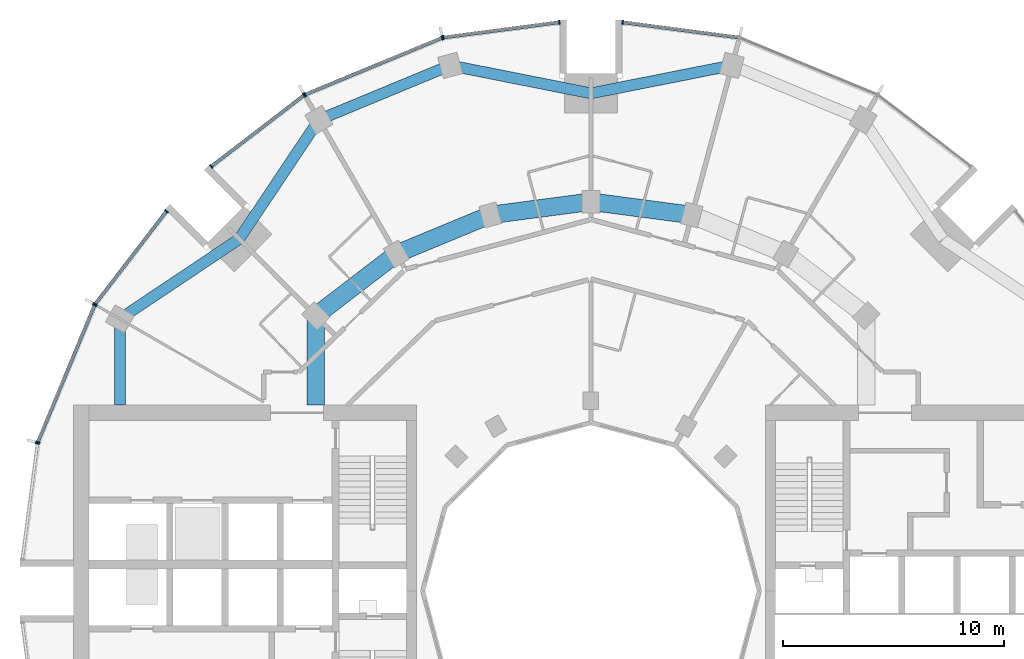
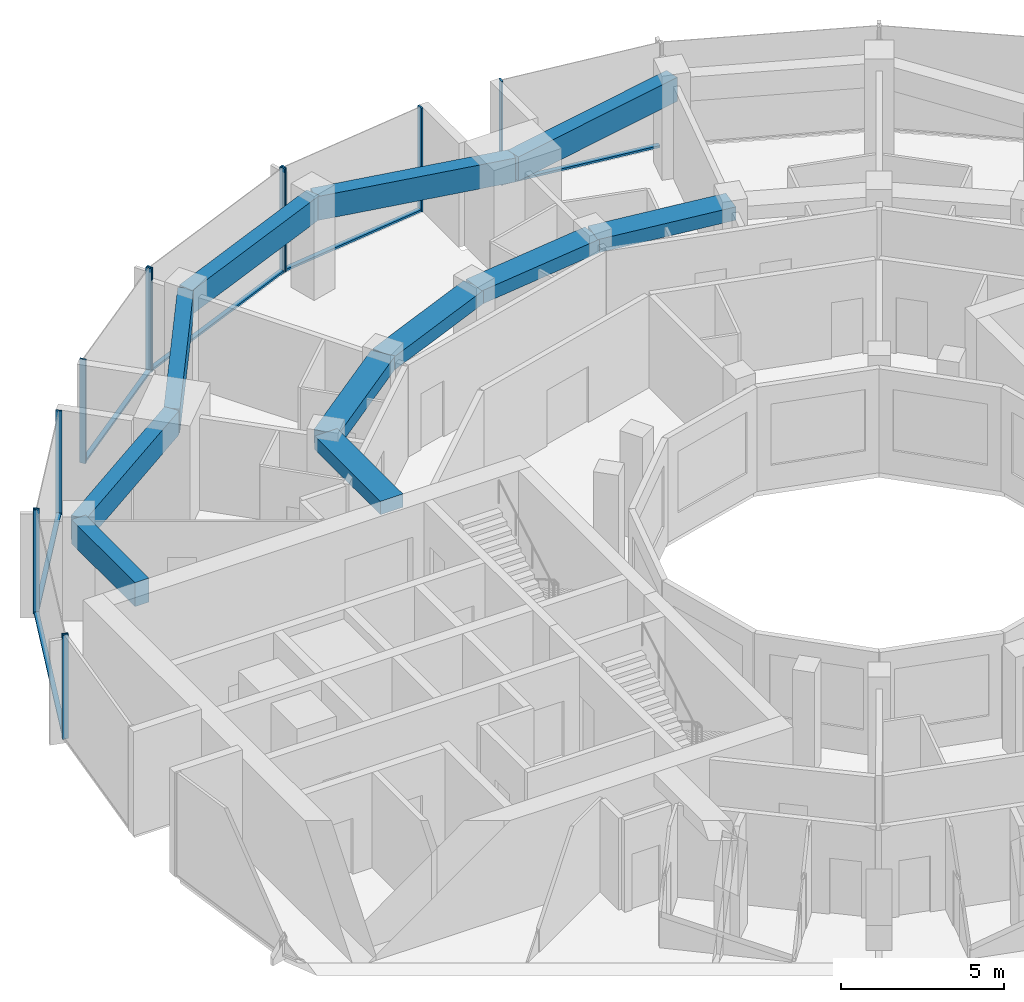
# One storey, part 5 of 15: 18 members, 11 beams, 7 elements without a shape of their own.
"""IFC4 building model written with IfcOpenShell, lengths in metres."""

from ifc_helpers import new_model, si_unit, direction, frame, origin, origin_2d, place, context, subcontext, project, spatial, rectangle, extrude, material, layer, layer_set, material_profile, profile_set, type_object, element, aggregate, save


model = new_model("IFC4")

# Units and contexts
model_context = context("Model", 3, precision=1e-05, world=origin(), true_north=direction((0.0, 1.0)))
body_context = subcontext(model_context, "Body", "Model", "MODEL_VIEW")
ifc_project = project(units=[si_unit("LENGTHUNIT", "METRE"), si_unit("AREAUNIT", "SQUARE_METRE"), si_unit("VOLUMEUNIT", "CUBIC_METRE"), si_unit("PLANEANGLEUNIT", "RADIAN"), si_unit("MASSUNIT", "GRAM", prefix="KILO")], contexts=[model_context])

# Site, building, storey
site_placement = place(None, origin())
site = spatial("IfcSite", under=ifc_project, at=site_placement, CompositionType="ELEMENT")
building_placement = place(site_placement, origin())
building = spatial("IfcBuilding", under=site, at=building_placement, Name="Torre Brocal", CompositionType="ELEMENT")
storey_placement = place(building_placement, frame((0.0, 0.0, 118.5)))
storey = spatial("IfcBuildingStorey", under=building, at=storey_placement, Name="L27", CompositionType="ELEMENT", Elevation=118.5)

# Curtain wall, member
ifc_material_1 = material(Name="Aluminium and glass", Category="aluminium")
ifc_layer_1 = layer(ifc_material_1, 0.199951171875)
ifc_layer_set_1 = layer_set([ifc_layer_1], Name="Aluminium and glass")
curtain_wall_type_1 = type_object("IfcCurtainWallType", Name="CW-1 CURTAIN WALL 3900 HIGH", PredefinedType="NOTDEFINED", material=ifc_layer_set_1)
curtain_wall_1_placement = place(storey_placement, origin())
curtain_wall_1 = element("IfcCurtainWall", 1, at=curtain_wall_1_placement, inside=storey, type_object=curtain_wall_type_1, Name="CW-1 RUN 6", PredefinedType="NOTDEFINED")
ifc_material_2 = material(Name="Aluminium, dark anodised", Category="aluminium")
ifc_material_profile_1 = material_profile(ifc_material_2, rectangle(XDim=0.199951171875, YDim=0.06005859375, at=origin_2d()), Name="CW-1 MULLION 60X200")
ifc_profile_set_1 = profile_set([ifc_material_profile_1], Name="Aluminium, dark anodised")
member_type_1 = type_object("IfcMemberType", Name="CW-1 MULLION 60X200", PredefinedType="MULLION", material=ifc_profile_set_1)
member_1_placement = place(storey_placement, frame((81.4296875, 100.7109375, 0.0), z_axis=(0.0, 0.0, 1.0), x_axis=(-0.13052619222, -0.991444861374, 0.0)))
member_1 = element("IfcMember", 2, at=member_1_placement, type_object=member_type_1, Name="CW1-3 mullion 2", PredefinedType="MULLION", context=body_context, shape_type="SweptSolid", body=[
    extrude(rectangle(XDim=0.199951171875, YDim=0.06005859375, at=origin_2d()), origin(), (0.0, 0.0, 1.0), 3.89990234375),
])

# Curtain wall, members
curtain_wall_2_placement = place(storey_placement, origin())
curtain_wall_2 = element("IfcCurtainWall", 3, at=curtain_wall_2_placement, inside=storey, type_object=curtain_wall_type_1, Name="CW-1 RUN 7", PredefinedType="NOTDEFINED")
member_2_placement = place(storey_placement, frame((78.5703125, 100.7109375, 0.0), z_axis=(0.0, 0.0, 1.0), x_axis=(0.13052619222, -0.991444861374, 0.0)))
member_2 = element("IfcMember", 4, at=member_2_placement, type_object=member_type_1, Name="CW1-3 mullion 1", PredefinedType="MULLION", context=body_context, shape_type="SweptSolid", body=[
    extrude(rectangle(XDim=0.199951171875, YDim=0.06005859375, at=origin_2d()), origin(), (0.0, 0.0, 1.0), 3.89990234375),
])
member_3_placement = place(storey_placement, frame((73.32666015625, 100.0205078125, 0.0), z_axis=(0.0, 0.0, 1.0), x_axis=(0.13052619222, -0.991444861374, 0.0)))
member_3 = element("IfcMember", 5, at=member_3_placement, type_object=member_type_1, Name="CW1-3 mullion 2", PredefinedType="MULLION", context=body_context, shape_type="SweptSolid", body=[
    extrude(rectangle(XDim=0.199951171875, YDim=0.06005859375, at=origin_2d()), origin(), (0.0, 0.0, 1.0), 3.89990234375),
])

curtain_wall_3_placement = place(storey_placement, origin())
curtain_wall_3 = element("IfcCurtainWall", 6, at=curtain_wall_3_placement, inside=storey, type_object=curtain_wall_type_1, Name="CW-1 RUN 8", PredefinedType="NOTDEFINED")
member_4_placement = place(storey_placement, frame((73.26904296875, 100.005126953125, 0.0), z_axis=(0.0, 0.0, 1.0), x_axis=(0.382683432333, -0.923879532525, 0.0)))
member_4 = element("IfcMember", 7, at=member_4_placement, type_object=member_type_1, Name="CW1-3 mullion 1", PredefinedType="MULLION", context=body_context, shape_type="SweptSolid", body=[
    extrude(rectangle(XDim=0.199951171875, YDim=0.06005859375, at=origin_2d()), origin(), (0.0, 0.0, 1.0), 3.89990234375),
])
member_5_placement = place(storey_placement, frame((67.078125, 97.440673828125, 0.0), z_axis=(0.0, 0.0, 1.0), x_axis=(0.382683432333, -0.923879532525, 0.0)))
member_5 = element("IfcMember", 8, at=member_5_placement, type_object=member_type_1, Name="CW1-3 mullion 2", PredefinedType="MULLION", context=body_context, shape_type="SweptSolid", body=[
    extrude(rectangle(XDim=0.199951171875, YDim=0.06005859375, at=origin_2d()), origin(), (0.0, 0.0, 1.0), 3.89990234375),
])

curtain_wall_4_placement = place(storey_placement, origin())
curtain_wall_4 = element("IfcCurtainWall", 9, at=curtain_wall_4_placement, inside=storey, type_object=curtain_wall_type_1, Name="CW-1 RUN 9", PredefinedType="NOTDEFINED")
member_6_placement = place(storey_placement, frame((67.026611328125, 97.4111328125, 0.0), z_axis=(0.0, 0.0, 1.0), x_axis=(0.60876142905, -0.793353340259, 0.0)))
member_6 = element("IfcMember", 10, at=member_6_placement, type_object=member_type_1, Name="CW1-3 mullion 1", PredefinedType="MULLION", context=body_context, shape_type="SweptSolid", body=[
    extrude(rectangle(XDim=0.199951171875, YDim=0.06005859375, at=origin_2d()), origin(), (0.0, 0.0, 1.0), 3.89990234375),
])
member_7_placement = place(storey_placement, frame((62.83056640625, 94.19140625, 0.0), z_axis=(0.0, 0.0, 1.0), x_axis=(0.60876142905, -0.793353340259, 0.0)))
member_7 = element("IfcMember", 11, at=member_7_placement, type_object=member_type_1, Name="CW1-3 mullion 2", PredefinedType="MULLION", context=body_context, shape_type="SweptSolid", body=[
    extrude(rectangle(XDim=0.199951171875, YDim=0.06005859375, at=origin_2d()), origin(), (0.0, 0.0, 1.0), 3.89990234375),
])

curtain_wall_5_placement = place(storey_placement, origin())
curtain_wall_5 = element("IfcCurtainWall", 12, at=curtain_wall_5_placement, inside=storey, type_object=curtain_wall_type_1, Name="CW-1 RUN 10", PredefinedType="NOTDEFINED")
member_8_placement = place(storey_placement, frame((60.80859375, 92.16943359375, 0.0), z_axis=(0.0, 0.0, 1.0), x_axis=(0.793353340259, -0.60876142905, 0.0)))
member_8 = element("IfcMember", 13, at=member_8_placement, type_object=member_type_1, Name="CW1-3 mullion 1", PredefinedType="MULLION", context=body_context, shape_type="SweptSolid", body=[
    extrude(rectangle(XDim=0.199951171875, YDim=0.06005859375, at=origin_2d()), origin(), (0.0, 0.0, 1.0), 3.89990234375),
])
member_9_placement = place(storey_placement, frame((57.5888671875, 87.973388671875, 0.0), z_axis=(0.0, 0.0, 1.0), x_axis=(0.793353340259, -0.60876142905, 0.0)))
member_9 = element("IfcMember", 14, at=member_9_placement, type_object=member_type_1, Name="CW1-3 mullion 2", PredefinedType="MULLION", context=body_context, shape_type="SweptSolid", body=[
    extrude(rectangle(XDim=0.199951171875, YDim=0.06005859375, at=origin_2d()), origin(), (0.0, 0.0, 1.0), 3.89990234375),
])

curtain_wall_6_placement = place(storey_placement, origin())
curtain_wall_6 = element("IfcCurtainWall", 15, at=curtain_wall_6_placement, inside=storey, type_object=curtain_wall_type_1, Name="CW-1 RUN 11", PredefinedType="NOTDEFINED")
member_10_placement = place(storey_placement, frame((57.559326171875, 87.921875, 0.0), z_axis=(0.0, 0.0, 1.0), x_axis=(0.923879532525, -0.382683432333, 0.0)))
member_10 = element("IfcMember", 16, at=member_10_placement, type_object=member_type_1, Name="CW1-3 mullion 1", PredefinedType="MULLION", context=body_context, shape_type="SweptSolid", body=[
    extrude(rectangle(XDim=0.199951171875, YDim=0.06005859375, at=origin_2d()), origin(), (0.0, 0.0, 1.0), 3.89990234375),
])
member_11_placement = place(storey_placement, frame((54.994873046875, 81.73095703125, 0.0), z_axis=(0.0, 0.0, 1.0), x_axis=(0.923879532525, -0.382683432333, 0.0)))
member_11 = element("IfcMember", 17, at=member_11_placement, type_object=member_type_1, Name="CW1-3 mullion 2", PredefinedType="MULLION", context=body_context, shape_type="SweptSolid", body=[
    extrude(rectangle(XDim=0.199951171875, YDim=0.06005859375, at=origin_2d()), origin(), (0.0, 0.0, 1.0), 3.89990234375),
])

# Member
ifc_material_3 = material(Name="Aluminium, dark anodised", Category="aluminium")
ifc_material_profile_2 = material_profile(ifc_material_3, rectangle(XDim=0.159912109375, YDim=0.080078125, at=origin_2d()), Name="CW-1 TRANSOM 160X80")
ifc_profile_set_2 = profile_set([ifc_material_profile_2], Name="Aluminium, dark anodised")
member_type_2 = type_object("IfcMemberType", Name="CW-1 TRANSOM 160X80", PredefinedType="USERDEFINED", material=ifc_profile_set_2)
member_12_placement = place(storey_placement, frame((86.643798828125, 100.0244140625, 0.0400390625), z_axis=(-0.991442690863, 0.130542677827, 0.0), x_axis=(-0.130542677827, -0.991442690863, 0.0)))
member_12 = element("IfcMember", 18, at=member_12_placement, type_object=member_type_2, Name="CW1-3 transom 1.1", ObjectType="TRANSOM", PredefinedType="USERDEFINED", context=body_context, shape_type="SweptSolid", body=[
    extrude(rectangle(XDim=0.159912109375, YDim=0.080078125, at=origin_2d()), origin(), (0.0, 0.0, 1.0), 5.22900390625),
])

aggregate(curtain_wall_1, [member_1, member_12])

member_13_placement = place(storey_placement, frame((78.54052734375, 100.70703125, 0.0400390625), z_axis=(-0.991442690863, -0.130542677827, 0.0), x_axis=(0.130542677827, -0.991442690863, 0.0)))
member_13 = element("IfcMember", 19, at=member_13_placement, type_object=member_type_2, Name="CW1-3 transom 1.1", ObjectType="TRANSOM", PredefinedType="USERDEFINED", context=body_context, shape_type="SweptSolid", body=[
    extrude(rectangle(XDim=0.159912109375, YDim=0.080078125, at=origin_2d()), origin(), (0.0, 0.0, 1.0), 5.22900390625),
])

aggregate(curtain_wall_2, [member_2, member_3, member_13])

member_14_placement = place(storey_placement, frame((73.241455078125, 99.99365234375, 0.0400390625), z_axis=(-0.923887344364, -0.38266457234, 0.0), x_axis=(0.38266457234, -0.923887344364, 0.0)))
member_14 = element("IfcMember", 20, at=member_14_placement, type_object=member_type_2, Name="CW1-3 transom 1.1", ObjectType="TRANSOM", PredefinedType="USERDEFINED", context=body_context, shape_type="SweptSolid", body=[
    extrude(rectangle(XDim=0.159912109375, YDim=0.080078125, at=origin_2d()), origin(), (0.0, 0.0, 1.0), 6.640869140625),
])

aggregate(curtain_wall_3, [member_4, member_5, member_14])

member_15_placement = place(storey_placement, frame((67.0029296875, 97.392822265625, 0.0400390625), z_axis=(-0.79336281513, -0.60874908096, 0.0), x_axis=(0.60874908096, -0.79336281513, 0.0)))
member_15 = element("IfcMember", 21, at=member_15_placement, type_object=member_type_2, Name="CW1-3 transom 1.1", ObjectType="TRANSOM", PredefinedType="USERDEFINED", context=body_context, shape_type="SweptSolid", body=[
    extrude(rectangle(XDim=0.159912109375, YDim=0.080078125, at=origin_2d()), origin(), (0.0, 0.0, 1.0), 5.22900390625),
])

aggregate(curtain_wall_4, [member_6, member_7, member_15])

member_16_placement = place(storey_placement, frame((60.790283203125, 92.1455078125, 0.0400390625), z_axis=(-0.60874908096, -0.79336281513, 0.0), x_axis=(0.79336281513, -0.60874908096, 0.0)))
member_16 = element("IfcMember", 22, at=member_16_placement, type_object=member_type_2, Name="CW1-3 transom 1.1", ObjectType="TRANSOM", PredefinedType="USERDEFINED", context=body_context, shape_type="SweptSolid", body=[
    extrude(rectangle(XDim=0.159912109375, YDim=0.080078125, at=origin_2d()), origin(), (0.0, 0.0, 1.0), 5.22900390625),
])

aggregate(curtain_wall_5, [member_8, member_9, member_16])

member_17_placement = place(storey_placement, frame((57.547607421875, 87.89404296875, 0.0400390625), z_axis=(-0.38266457234, -0.923887344364, 0.0), x_axis=(0.923887344364, -0.38266457234, 0.0)))
member_17 = element("IfcMember", 23, at=member_17_placement, type_object=member_type_2, Name="CW1-3 transom 1.1", ObjectType="TRANSOM", PredefinedType="USERDEFINED", context=body_context, shape_type="SweptSolid", body=[
    extrude(rectangle(XDim=0.159912109375, YDim=0.080078125, at=origin_2d()), origin(), (0.0, 0.0, 1.0), 6.640869140625),
])

aggregate(curtain_wall_6, [member_10, member_11, member_17])

# Curtain wall, member
ifc_material_4 = material(Name="Aluminium and glass", Category="aluminium")
ifc_layer_2 = layer(ifc_material_4, 0.199951171875)
ifc_layer_set_2 = layer_set([ifc_layer_2], Name="Aluminium and glass")
curtain_wall_type_2 = type_object("IfcCurtainWallType", Name="CW-1B CURTAIN WALL 3900 HIGH", PredefinedType="NOTDEFINED", material=ifc_layer_set_2)
curtain_wall_7_placement = place(storey_placement, origin())
curtain_wall_7 = element("IfcCurtainWall", 24, at=curtain_wall_7_placement, inside=storey, type_object=curtain_wall_type_2, Name="CW-1B RUN 12", PredefinedType="NOTDEFINED")
ifc_material_5 = material(Name="Aluminium, dark anodised", Category="aluminium")
ifc_material_profile_3 = material_profile(ifc_material_5, rectangle(XDim=0.199951171875, YDim=0.06005859375, at=origin_2d()), Name="CW-1B MULLION 60X200")
ifc_profile_set_3 = profile_set([ifc_material_profile_3], Name="Aluminium, dark anodised")
member_type_3 = type_object("IfcMemberType", Name="CW-1B MULLION 60X200", PredefinedType="MULLION", material=ifc_profile_set_3)
member_18_placement = place(storey_placement, frame((54.9794921875, 81.67333984375, 0.0), z_axis=(0.0, 0.0, 1.0), x_axis=(0.991444861374, -0.13052619222, 0.0)))
member_18 = element("IfcMember", 25, at=member_18_placement, type_object=member_type_3, Name="CW1B-3 mullion 1", PredefinedType="MULLION", context=body_context, shape_type="SweptSolid", body=[
    extrude(rectangle(XDim=0.199951171875, YDim=0.06005859375, at=origin_2d()), origin(), (0.0, 0.0, 1.0), 3.89990234375),
])
aggregate(curtain_wall_7, [member_18])

# Beams
ifc_material_6 = material(Name="Concrete C50", Category="concrete")
ifc_material_profile_4 = material_profile(ifc_material_6, rectangle(XDim=0.800048828125, YDim=0.5, at=origin_2d()), Name="RC 800X500")
ifc_profile_set_4 = profile_set([ifc_material_profile_4], Name="Concrete C50")
beam_type_1 = type_object("IfcBeamType", Name="RC BEAM 800X500 C50 TOP 3580", PredefinedType="BEAM", material=ifc_profile_set_4)
for number, where, z_axis, x_axis, name in (
    (26, (84.55517578125, 92.000244140625, 3.330078125), (-0.991440544449, 0.130558978332, 0.0), (-0.130558978332, -0.991440544449, 0.0), "Beam BT-28"),
    (27, (80.0, 92.60009765625, 3.330078125), (-0.991440544449, -0.130558978332, 0.0), (0.130558978332, -0.991440544449, 0.0), "Beam BT-28"),
):
    element("IfcBeam", number, at=place(storey_placement, frame(where, z_axis=z_axis, x_axis=x_axis)), inside=storey, type_object=beam_type_1, Name=name, PredefinedType="BEAM", context=body_context, shape_type="SweptSolid", body=[
        extrude(rectangle(XDim=0.800048828125, YDim=0.5, at=origin_2d()), origin(), (0.0, 0.0, 1.0), 4.594482421875),
    ])
beam_1_placement = place(storey_placement, frame((75.44482421875, 92.000244140625, 3.330078125), z_axis=(-0.923878240166, -0.382686552348, 0.0), x_axis=(0.382686552348, -0.923878240166, 0.0)))
element("IfcBeam", 28, at=beam_1_placement, inside=storey, type_object=beam_type_1, Name="Beam BT-28", PredefinedType="BEAM", context=body_context, shape_type="SweptSolid", body=[
    extrude(rectangle(XDim=0.800048828125, YDim=0.5, at=origin_2d()), origin(), (0.0, 0.0, 1.0), 4.5947265625),
])
beam_2_placement = place(storey_placement, frame((71.199951171875, 90.241943359375, 3.330078125), z_axis=(-0.793358265959, -0.6087550097, 0.0), x_axis=(0.6087550097, -0.793358265959, 0.0)))
element("IfcBeam", 29, at=beam_2_placement, inside=storey, type_object=beam_type_1, Name="Beam BT-28", PredefinedType="BEAM", context=body_context, shape_type="SweptSolid", body=[
    extrude(rectangle(XDim=0.800048828125, YDim=0.5, at=origin_2d()), origin(), (0.0, 0.0, 1.0), 4.594482421875),
])
beam_3_placement = place(storey_placement, frame((67.554931640625, 87.445068359375, 3.330078125), z_axis=(0.0, -1.0, 0.0), x_axis=(1.0, 0.0, 0.0)))
element("IfcBeam", 30, at=beam_3_placement, inside=storey, type_object=beam_type_1, Name="Beam BT-28", PredefinedType="BEAM", context=body_context, shape_type="SweptSolid", body=[
    extrude(rectangle(XDim=0.800048828125, YDim=0.5, at=origin_2d()), origin(), (0.0, 0.0, 1.0), 4.045166015625),
])
ifc_material_7 = material(Name="Concrete C50", Category="concrete")
ifc_material_profile_5 = material_profile(ifc_material_7, rectangle(XDim=0.5, YDim=0.89990234375, at=origin_2d()), Name="RC 500X900")
ifc_profile_set_5 = profile_set([ifc_material_profile_5], Name="Concrete C50")
beam_type_2 = type_object("IfcBeamType", Name="RC SPANDREL BEAM 500X900 C50 TOP 3580", PredefinedType="SPANDREL", material=ifc_profile_set_5)
for number, where, z_axis, x_axis, name in (
    (31, (86.366943359375, 98.76171875, 3.1298828125), (-0.980924907484, -0.194387051723, 0.0), (0.194387051723, -0.980924907484, 0.0), "Beam BT-29"),
    (32, (80.0, 97.5, 3.1298828125), (-0.980924907484, 0.194387051723, 0.0), (-0.194387051723, -0.980924907484, 0.0), "Beam BT-29"),
):
    element("IfcBeam", number, at=place(storey_placement, frame(where, z_axis=z_axis, x_axis=x_axis)), inside=storey, type_object=beam_type_2, Name=name, PredefinedType="SPANDREL", context=body_context, shape_type="SweptSolid", body=[
        extrude(rectangle(XDim=0.5, YDim=0.89990234375, at=origin_2d()), origin(), (0.0, 0.0, 1.0), 6.49072265625),
    ])
beam_4_placement = place(storey_placement, frame((73.633056640625, 98.76171875, 3.1298828125), z_axis=(-0.923882462513, -0.382676358639, 0.0), x_axis=(0.382676358639, -0.923882462513, 0.0)))
element("IfcBeam", 33, at=beam_4_placement, inside=storey, type_object=beam_type_2, Name="Beam BT-29", PredefinedType="SPANDREL", context=body_context, shape_type="SweptSolid", body=[
    extrude(rectangle(XDim=0.5, YDim=0.89990234375, at=origin_2d()), origin(), (0.0, 0.0, 1.0), 6.421875),
])
for number, where, z_axis, x_axis, name in (
    (34, (67.699951171875, 96.30419921875, 3.1298828125), (-0.556157602282, -0.831076844476, 0.0), (0.831076844476, -0.556157602282, 0.0), "Beam BT-29"),
    (35, (64.090087890625, 90.909912109375, 3.1298828125), (-0.831076844476, -0.556157602282, 0.0), (0.556157602282, -0.831076844476, 0.0), "Beam BT-29"),
):
    element("IfcBeam", number, at=place(storey_placement, frame(where, z_axis=z_axis, x_axis=x_axis)), inside=storey, type_object=beam_type_2, Name=name, PredefinedType="SPANDREL", context=body_context, shape_type="SweptSolid", body=[
        extrude(rectangle(XDim=0.5, YDim=0.89990234375, at=origin_2d()), origin(), (0.0, 0.0, 1.0), 6.49072265625),
    ])
beam_5_placement = place(storey_placement, frame((58.69580078125, 87.300048828125, 3.1298828125), z_axis=(0.0, -1.0, 0.0), x_axis=(1.0, 0.0, 0.0)))
element("IfcBeam", 36, at=beam_5_placement, inside=storey, type_object=beam_type_2, Name="Beam BT-29", PredefinedType="SPANDREL", context=body_context, shape_type="SweptSolid", body=[
    extrude(rectangle(XDim=0.5, YDim=0.89990234375, at=origin_2d()), origin(), (0.0, 0.0, 1.0), 3.900146484375),
])

save(model, "model.ifc")
